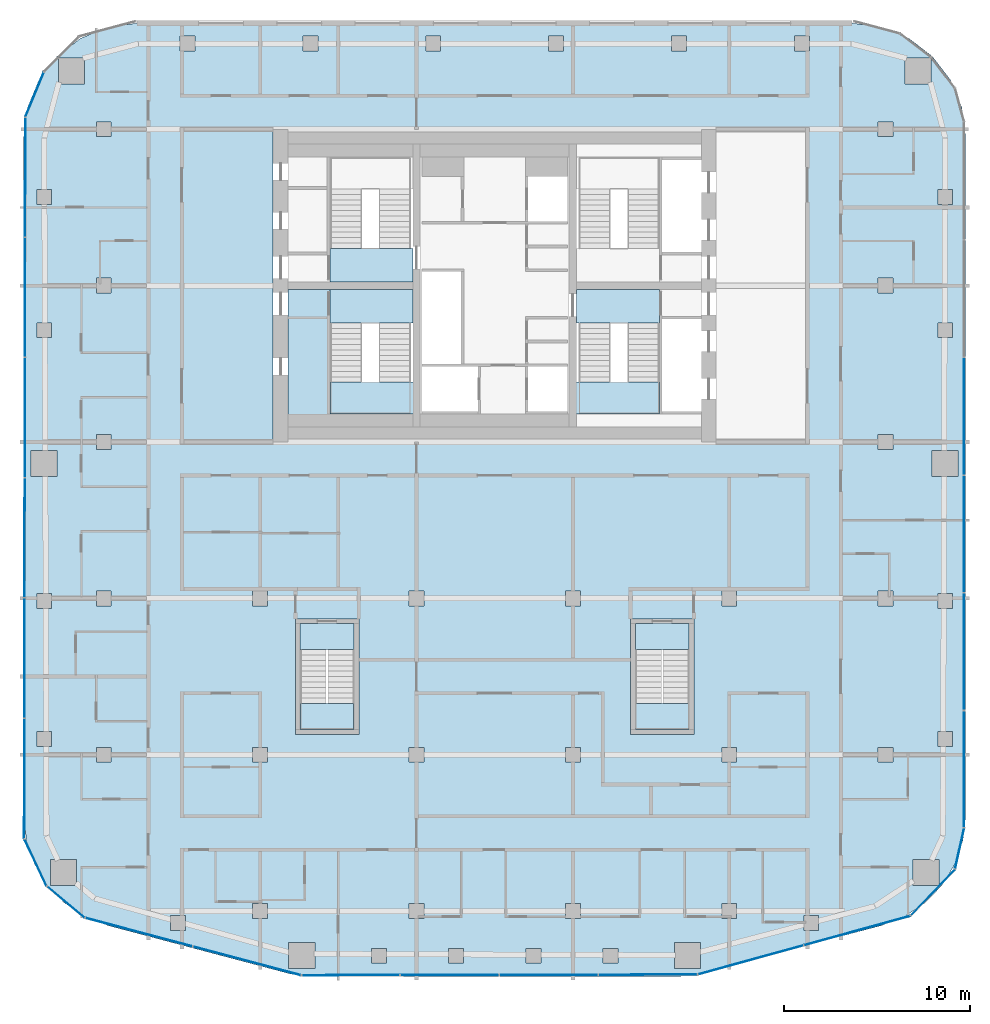
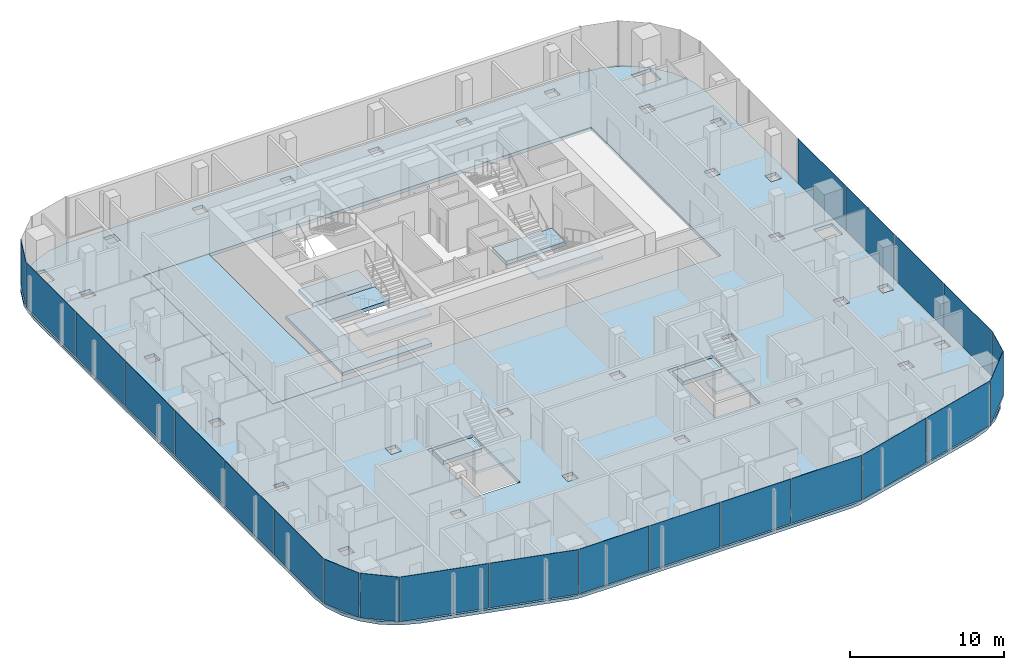
# One storey, part 12 of 21: 23 plates, 12 slabs, 14 elements without a shape of their own.
"""IFC4 building model written with IfcOpenShell, lengths in metres."""

from ifc_helpers import new_model, si_unit, direction, frame, origin, origin_2d, place, context, subcontext, project, spatial, polyline, rectangle, outline, extrude, material, layer, layer_set, type_object, element, aggregate, save


model = new_model("IFC4")

# Units and contexts
model_context = context("Model", 3, precision=1e-05, world=origin(), true_north=direction((0.0, 1.0)))
body_context = subcontext(model_context, "Body", "Model", "MODEL_VIEW")
ifc_project = project(units=[si_unit("LENGTHUNIT", "METRE"), si_unit("AREAUNIT", "SQUARE_METRE"), si_unit("VOLUMEUNIT", "CUBIC_METRE"), si_unit("PLANEANGLEUNIT", "RADIAN"), si_unit("MASSUNIT", "GRAM", prefix="KILO")], contexts=[model_context])

# Site, building, storey
site_placement = place(None, origin())
site = spatial("IfcSite", under=ifc_project, at=site_placement, CompositionType="ELEMENT")
building_placement = place(site_placement, origin())
building = spatial("IfcBuilding", under=site, at=building_placement, Name="Marenta Gate Hotel Tower", CompositionType="ELEMENT")
storey_placement = place(building_placement, frame((0.0, 0.0, 202.10009765625)))
storey = spatial("IfcBuildingStorey", under=building, at=storey_placement, Name="L46", CompositionType="ELEMENT", Elevation=202.10009765625)

# Slabs
ifc_material_1 = material(Name="Concrete C35", Category="concrete")
ifc_layer_1 = layer(ifc_material_1, 0.260009765625)
ifc_layer_set_1 = layer_set([ifc_layer_1], Name="Concrete C35")
slab_type_1 = type_object("IfcSlabType", Name="Concrete floor slab 260", PredefinedType="FLOOR", material=ifc_layer_set_1)
slab_1_placement = place(storey_placement, frame((0.0, 0.0, -0.260009765625)))
element("IfcSlab", 1, at=slab_1_placement, inside=storey, type_object=slab_type_1, Name="L46-SL-1", PredefinedType="FLOOR", context=body_context, shape_type="SweptSolid", body=[
    extrude(outline(polyline([(-23.11376953125, -24.76416015625), (-24.035400390625, -23.803955078125), (-24.72705078125, -22.6669921875), (-25.155517578125, -21.4072265625), (-25.300048828125, -20.08984375), (-25.300048828125, 16.406494140625), (-25.093017578125, 17.97900390625), (-24.483642578125, 19.450439453125), (-23.513916015625, 20.7138671875), (-22.25048828125, 21.68359375), (-20.779052734375, 22.29296875), (-19.20654296875, 22.5), (19.20654296875, 22.5), (20.779052734375, 22.29296875), (22.25048828125, 21.68359375), (23.513916015625, 20.7138671875), (24.483642578125, 19.450439453125), (25.093017578125, 17.97900390625), (25.300048828125, 16.406494140625), (25.300048828125, -20.08984375), (25.155517578125, -21.4072265625), (24.72705078125, -22.6669921875), (24.035400390625, -23.803955078125), (23.11376953125, -24.76416015625), (22.005859375, -25.501220703125), (20.76953125, -25.978759765625), (11.026611328125, -28.563720703125), (10.508544921875, -28.665771484375), (9.981689453125, -28.699951171875), (-9.981689453125, -28.699951171875), (-10.508544921875, -28.665771484375), (-11.026611328125, -28.563720703125), (-20.76953125, -25.978759765625), (-22.005859375, -25.501220703125), (-23.11376953125, -24.76416015625)]), holes=[polyline([(-16.800048828125, 0.0), (16.800048828125, 0.0), (16.800048828125, 16.800048828125), (-16.800048828125, 16.800048828125), (-16.800048828125, 0.0)]), polyline([(-16.606689453125, -25.439208984375), (-17.40673828125, -25.439208984375), (-17.40673828125, -26.239013671875), (-16.606689453125, -26.239013671875), (-16.606689453125, -25.439208984375)]), polyline([(-12.199951171875, -25.60009765625), (-12.199951171875, -24.800048828125), (-13.0, -24.800048828125), (-13.0, -25.60009765625), (-12.199951171875, -25.60009765625)]), polyline([(-22.462890625, -23.8330078125), (-22.462890625, -22.43310546875), (-23.863037109375, -22.43310546875), (-23.863037109375, -23.8330078125), (-22.462890625, -23.8330078125)]), polyline([(-12.199951171875, -16.39990234375), (-13.0, -16.39990234375), (-13.0, -17.199951171875), (-12.199951171875, -17.199951171875), (-12.199951171875, -16.39990234375)]), polyline([(-20.60009765625, -17.199951171875), (-20.60009765625, -16.39990234375), (-21.39990234375, -16.39990234375), (-21.39990234375, -17.199951171875), (-20.60009765625, -17.199951171875)]), polyline([(-23.800048828125, -16.351806640625), (-23.800048828125, -15.552001953125), (-24.60009765625, -15.552001953125), (-24.60009765625, -16.351806640625), (-23.800048828125, -16.351806640625)]), polyline([(-23.800048828125, -8.15087890625), (-24.60009765625, -8.15087890625), (-24.60009765625, -8.950927734375), (-23.800048828125, -8.950927734375), (-23.800048828125, -8.15087890625)]), polyline([(-12.199951171875, -8.800048828125), (-12.199951171875, -8.0), (-13.0, -8.0), (-13.0, -8.800048828125), (-12.199951171875, -8.800048828125)]), polyline([(-20.60009765625, -8.800048828125), (-20.60009765625, -8.0), (-21.39990234375, -8.0), (-21.39990234375, -8.800048828125), (-20.60009765625, -8.800048828125)]), polyline([(-23.5, -0.449951171875), (-24.89990234375, -0.449951171875), (-24.89990234375, -1.85009765625), (-23.5, -1.85009765625), (-23.5, -0.449951171875)]), polyline([(-20.60009765625, -0.39990234375), (-20.60009765625, 0.39990234375), (-21.39990234375, 0.39990234375), (-21.39990234375, -0.39990234375), (-20.60009765625, -0.39990234375)]), polyline([(-23.800048828125, 5.603271484375), (-23.800048828125, 6.4033203125), (-24.60009765625, 6.4033203125), (-24.60009765625, 5.603271484375), (-23.800048828125, 5.603271484375)]), polyline([(-20.60009765625, 8.800048828125), (-21.39990234375, 8.800048828125), (-21.39990234375, 8.0), (-20.60009765625, 8.0), (-20.60009765625, 8.800048828125)]), polyline([(-23.800048828125, 12.75634765625), (-23.800048828125, 13.556396484375), (-24.60009765625, 13.556396484375), (-24.60009765625, 12.75634765625), (-23.800048828125, 12.75634765625)]), polyline([(-20.60009765625, 16.39990234375), (-20.60009765625, 17.199951171875), (-21.39990234375, 17.199951171875), (-21.39990234375, 16.39990234375), (-20.60009765625, 16.39990234375)]), polyline([(-22.035400390625, 20.635498046875), (-23.435546875, 20.635498046875), (-23.435546875, 19.235595703125), (-22.035400390625, 19.235595703125), (-22.035400390625, 20.635498046875)]), polyline([(-16.10693359375, 21.0), (-16.10693359375, 21.800048828125), (-16.906982421875, 21.800048828125), (-16.906982421875, 21.0), (-16.10693359375, 21.0)]), polyline([(-5.820068359375, -28.0), (-5.820068359375, -27.199951171875), (-6.6201171875, -27.199951171875), (-6.6201171875, -28.0), (-5.820068359375, -28.0)]), polyline([(6.6201171875, -27.199951171875), (5.820068359375, -27.199951171875), (5.820068359375, -28.0), (6.6201171875, -28.0), (6.6201171875, -27.199951171875)]), polyline([(2.473388671875, -28.0), (2.473388671875, -27.199951171875), (1.67333984375, -27.199951171875), (1.67333984375, -28.0), (2.473388671875, -28.0)]), polyline([(-1.67333984375, -28.0), (-1.67333984375, -27.199951171875), (-2.473388671875, -27.199951171875), (-2.473388671875, -28.0), (-1.67333984375, -28.0)]), polyline([(-9.666259765625, -28.27490234375), (-9.666259765625, -26.874755859375), (-11.06640625, -26.874755859375), (-11.06640625, -28.27490234375), (-9.666259765625, -28.27490234375)]), polyline([(11.06640625, -28.27490234375), (11.06640625, -26.874755859375), (9.666259765625, -26.874755859375), (9.666259765625, -28.27490234375), (11.06640625, -28.27490234375)]), polyline([(13.0, -25.60009765625), (13.0, -24.800048828125), (12.199951171875, -24.800048828125), (12.199951171875, -25.60009765625), (13.0, -25.60009765625)]), polyline([(4.60009765625, -25.60009765625), (4.60009765625, -24.800048828125), (3.800048828125, -24.800048828125), (3.800048828125, -25.60009765625), (4.60009765625, -25.60009765625)]), polyline([(-3.800048828125, -24.800048828125), (-4.60009765625, -24.800048828125), (-4.60009765625, -25.60009765625), (-3.800048828125, -25.60009765625), (-3.800048828125, -24.800048828125)]), polyline([(4.60009765625, -17.199951171875), (4.60009765625, -16.39990234375), (3.800048828125, -16.39990234375), (3.800048828125, -17.199951171875), (4.60009765625, -17.199951171875)]), polyline([(-3.800048828125, -17.199951171875), (-3.800048828125, -16.39990234375), (-4.60009765625, -16.39990234375), (-4.60009765625, -17.199951171875), (-3.800048828125, -17.199951171875)]), polyline([(4.60009765625, -8.0), (3.800048828125, -8.0), (3.800048828125, -8.800048828125), (4.60009765625, -8.800048828125), (4.60009765625, -8.0)]), polyline([(-3.800048828125, -8.800048828125), (-3.800048828125, -8.0), (-4.60009765625, -8.0), (-4.60009765625, -8.800048828125), (-3.800048828125, -8.800048828125)]), polyline([(-2.9013671875, 21.0), (-2.9013671875, 21.800048828125), (-3.701416015625, 21.800048828125), (-3.701416015625, 21.0), (-2.9013671875, 21.0)]), polyline([(3.701416015625, 21.800048828125), (2.9013671875, 21.800048828125), (2.9013671875, 21.0), (3.701416015625, 21.0), (3.701416015625, 21.800048828125)]), polyline([(10.30419921875, 21.0), (10.30419921875, 21.800048828125), (9.504150390625, 21.800048828125), (9.504150390625, 21.0), (10.30419921875, 21.0)]), polyline([(-9.504150390625, 21.0), (-9.504150390625, 21.800048828125), (-10.30419921875, 21.800048828125), (-10.30419921875, 21.0), (-9.504150390625, 21.0)]), polyline([(17.40673828125, -25.439208984375), (16.606689453125, -25.439208984375), (16.606689453125, -26.239013671875), (17.40673828125, -26.239013671875), (17.40673828125, -25.439208984375)]), polyline([(23.863037109375, -23.8330078125), (23.863037109375, -22.43310546875), (22.462890625, -22.43310546875), (22.462890625, -23.8330078125), (23.863037109375, -23.8330078125)]), polyline([(13.0, -17.199951171875), (13.0, -16.39990234375), (12.199951171875, -16.39990234375), (12.199951171875, -17.199951171875), (13.0, -17.199951171875)]), polyline([(21.39990234375, -16.39990234375), (20.60009765625, -16.39990234375), (20.60009765625, -17.199951171875), (21.39990234375, -17.199951171875), (21.39990234375, -16.39990234375)]), polyline([(24.60009765625, -16.351806640625), (24.60009765625, -15.552001953125), (23.800048828125, -15.552001953125), (23.800048828125, -16.351806640625), (24.60009765625, -16.351806640625)]), polyline([(24.60009765625, -8.950927734375), (24.60009765625, -8.15087890625), (23.800048828125, -8.15087890625), (23.800048828125, -8.950927734375), (24.60009765625, -8.950927734375)]), polyline([(13.0, -8.0), (12.199951171875, -8.0), (12.199951171875, -8.800048828125), (13.0, -8.800048828125), (13.0, -8.0)]), polyline([(21.39990234375, -8.800048828125), (21.39990234375, -8.0), (20.60009765625, -8.0), (20.60009765625, -8.800048828125), (21.39990234375, -8.800048828125)]), polyline([(24.89990234375, -1.85009765625), (24.89990234375, -0.449951171875), (23.5, -0.449951171875), (23.5, -1.85009765625), (24.89990234375, -1.85009765625)]), polyline([(21.39990234375, 0.39990234375), (20.60009765625, 0.39990234375), (20.60009765625, -0.39990234375), (21.39990234375, -0.39990234375), (21.39990234375, 0.39990234375)]), polyline([(24.60009765625, 5.603271484375), (24.60009765625, 6.4033203125), (23.800048828125, 6.4033203125), (23.800048828125, 5.603271484375), (24.60009765625, 5.603271484375)]), polyline([(21.39990234375, 8.0), (21.39990234375, 8.800048828125), (20.60009765625, 8.800048828125), (20.60009765625, 8.0), (21.39990234375, 8.0)]), polyline([(24.60009765625, 12.75634765625), (24.60009765625, 13.556396484375), (23.800048828125, 13.556396484375), (23.800048828125, 12.75634765625), (24.60009765625, 12.75634765625)]), polyline([(21.39990234375, 16.39990234375), (21.39990234375, 17.199951171875), (20.60009765625, 17.199951171875), (20.60009765625, 16.39990234375), (21.39990234375, 16.39990234375)]), polyline([(23.435546875, 19.235595703125), (23.435546875, 20.635498046875), (22.035400390625, 20.635498046875), (22.035400390625, 19.235595703125), (23.435546875, 19.235595703125)]), polyline([(16.906982421875, 21.0), (16.906982421875, 21.800048828125), (16.10693359375, 21.800048828125), (16.10693359375, 21.0), (16.906982421875, 21.0)]), polyline([(-7.300048828125, -15.699951171875), (-7.300048828125, -9.5), (-10.699951171875, -9.5), (-10.699951171875, -15.699951171875), (-7.300048828125, -15.699951171875)]), polyline([(10.699951171875, -15.699951171875), (10.699951171875, -9.5), (7.300048828125, -9.5), (7.300048828125, -15.699951171875), (10.699951171875, -15.699951171875)])]), origin(), (0.0, 0.0, 1.0), 0.260009765625),
])
ifc_material_2 = material(Name="Concrete C40", Category="concrete")
ifc_layer_2 = layer(ifc_material_2, 0.260009765625)
ifc_layer_set_2 = layer_set([ifc_layer_2], Name="Concrete C40")
slab_type_2 = type_object("IfcSlabType", Name="Core floor slab 260", PredefinedType="FLOOR", material=ifc_layer_set_2)
slab_2_placement = place(storey_placement, frame((0.0, 0.0, -0.260009765625)))
element("IfcSlab", 2, at=slab_2_placement, inside=storey, type_object=slab_type_2, Name="L46-CF-5", PredefinedType="FLOOR", context=body_context, shape_type="SweptSolid", body=[
    extrude(outline(polyline([(-8.85009765625, 8.199951171875), (-8.85009765625, 8.10009765625), (-8.85009765625, 6.39990234375), (-8.85009765625, 1.5), (-4.39990234375, 1.5), (-4.39990234375, 0.800048828125), (-11.10009765625, 0.800048828125), (-11.10009765625, 8.199951171875), (-8.85009765625, 8.199951171875)])), origin(), (0.0, 0.0, 1.0), 0.260009765625),
])
slab_3_placement = place(storey_placement, frame((0.0, 0.0, -0.260009765625)))
element("IfcSlab", 3, at=slab_3_placement, inside=storey, type_object=slab_type_2, Name="L46-CF-7", PredefinedType="FLOOR", context=body_context, shape_type="SweptSolid", body=[
    extrude(outline(polyline([(-11.89990234375, 16.800048828125), (-11.89990234375, 0.0), (-16.800048828125, 0.0), (-16.800048828125, 16.800048828125), (-11.89990234375, 16.800048828125)])), origin(), (0.0, 0.0, 1.0), 0.260009765625),
])

# Stair, slab
ifc_material_3 = material(Name="Concrete C40", Category="concrete")
stair_type_1 = type_object("IfcStairType", Name="Core exit stair 1700 wide", PredefinedType="HALF_TURN_STAIR", material=ifc_material_3)
stair_1_placement = place(storey_placement, origin())
stair_1 = element("IfcStair", 4, at=stair_1_placement, inside=storey, type_object=stair_type_1, Name="Exit stair 1", PredefinedType="HALF_TURN_STAIR")
ifc_material_4 = material(Name="Concrete C40", Category="concrete")
ifc_layer_3 = layer(ifc_material_4, 0.199951171875)
ifc_layer_set_3 = layer_set([ifc_layer_3], Name="Concrete C40")
slab_type_3 = type_object("IfcSlabType", Name="Core stair landing 200", PredefinedType="LANDING", material=ifc_layer_set_3)
slab_4_placement = place(storey_placement, frame((0.0, 0.0, 1.599853515625)))
slab_4 = element("IfcSlab", 5, at=slab_4_placement, type_object=slab_type_3, Name="SL-200 ST1 landing 1", PredefinedType="LANDING", context=body_context, shape_type="SweptSolid", body=[
    extrude(outline(polyline([(-8.85009765625, 1.5), (-4.0, 1.5), (-4.0, 3.2099609375), (-8.85009765625, 3.2099609375), (-8.85009765625, 1.5)])), origin(), (0.0, 0.0, 1.0), 0.199951171875),
])
aggregate(stair_1, [slab_4])

stair_2_placement = place(storey_placement, origin())
stair_2 = element("IfcStair", 6, at=stair_2_placement, inside=storey, type_object=stair_type_1, Name="Exit stair 3", PredefinedType="HALF_TURN_STAIR")
slab_5_placement = place(storey_placement, frame((0.0, 0.0, 1.599853515625)))
slab_5 = element("IfcSlab", 7, at=slab_5_placement, type_object=slab_type_3, Name="SL-200 ST3 landing 1", PredefinedType="LANDING", context=body_context, shape_type="SweptSolid", body=[
    extrude(outline(polyline([(4.0, 1.5), (8.85009765625, 1.5), (8.85009765625, 3.2099609375), (4.0, 3.2099609375), (4.0, 1.5)])), origin(), (0.0, 0.0, 1.0), 0.199951171875),
])
aggregate(stair_2, [slab_5])

# Curtain wall, plate
ifc_material_5 = material(Name="Tinted insulated glass in bronze anodised frame", Category="glass")
ifc_layer_4 = layer(ifc_material_5, 0.1201171875)
ifc_layer_set_4 = layer_set([ifc_layer_4], Name="Tinted insulated glass in bronze anodised frame")
curtain_wall_type = type_object("IfcCurtainWallType", Name="Tower unitised curtain wall CW1", PredefinedType="NOTDEFINED", material=ifc_layer_set_4)
curtain_wall_1_placement = place(storey_placement, origin())
curtain_wall_1 = element("IfcCurtainWall", 8, at=curtain_wall_1_placement, inside=storey, type_object=curtain_wall_type, Name="CW1 run G02", PredefinedType="NOTDEFINED")
ifc_material_6 = material(Name="Tinted insulated glass", Category="glass")
ifc_layer_5 = layer(ifc_material_6, 0.028076171875)
ifc_layer_set_5 = layer_set([ifc_layer_5], Name="Tinted insulated glass")
plate_type = type_object("IfcPlateType", Name="Glass panel CW1 28 mm tinted insulated unit", PredefinedType="CURTAIN_PANEL", material=ifc_layer_set_5)
plate_1_placement = place(storey_placement, frame((-24.719482421875, 18.656005859375, 0.059814453125), z_axis=(0.0, 0.0, 1.0), x_axis=(-0.382666772044, -0.923886433266, 0.0)))
plate_1 = element("IfcPlate", 9, at=plate_1_placement, type_object=plate_type, Name="CW1 panel 1.1", PredefinedType="CURTAIN_PANEL", context=body_context, shape_type="SweptSolid", body=[
    extrude(rectangle(XDim=2.57568359375, YDim=0.028076171875, at=origin_2d()), origin(), (0.0, 0.0, 1.0), 3.5400390625),
])
aggregate(curtain_wall_1, [plate_1])

# Curtain wall, plates
curtain_wall_2_placement = place(storey_placement, origin())
curtain_wall_2 = element("IfcCurtainWall", 10, at=curtain_wall_2_placement, inside=storey, type_object=curtain_wall_type, Name="CW1 run G03", PredefinedType="NOTDEFINED")
plate_2_placement = place(storey_placement, frame((-25.21728515625, 14.22119140625, 0.059814453125), z_axis=(0.0, 0.0, 1.0), x_axis=(-0.001566045546, -0.99999877375, 0.0)))
plate_2 = element("IfcPlate", 11, at=plate_2_placement, type_object=plate_type, Name="CW1 panel 1.1", PredefinedType="CURTAIN_PANEL", context=body_context, shape_type="SweptSolid", body=[
    extrude(rectangle(XDim=6.3701171875, YDim=0.028076171875, at=origin_2d()), origin(), (0.0, 0.0, 1.0), 3.5400390625),
])
plate_3_placement = place(storey_placement, frame((-25.2275390625, 7.776123046875, 0.059814453125), z_axis=(0.0, 0.0, 1.0), x_axis=(-0.001566045546, -0.99999877375, 0.0)))
plate_3 = element("IfcPlate", 12, at=plate_3_placement, type_object=plate_type, Name="CW1 panel 2.1", PredefinedType="CURTAIN_PANEL", context=body_context, shape_type="SweptSolid", body=[
    extrude(rectangle(XDim=6.39990234375, YDim=0.028076171875, at=origin_2d()), origin(), (0.0, 0.0, 1.0), 3.5400390625),
])
plate_4_placement = place(storey_placement, frame((-25.237548828125, 1.316162109375, 0.059814453125), z_axis=(0.0, 0.0, 1.0), x_axis=(-0.001566045546, -0.99999877375, 0.0)))
plate_4 = element("IfcPlate", 13, at=plate_4_placement, type_object=plate_type, Name="CW1 panel 3.1", PredefinedType="CURTAIN_PANEL", context=body_context, shape_type="SweptSolid", body=[
    extrude(rectangle(XDim=6.39990234375, YDim=0.028076171875, at=origin_2d()), origin(), (0.0, 0.0, 1.0), 3.5400390625),
])
plate_5_placement = place(storey_placement, frame((-25.247802734375, -5.143798828125, 0.059814453125), z_axis=(0.0, 0.0, 1.0), x_axis=(-0.001566045546, -0.99999877375, 0.0)))
plate_5 = element("IfcPlate", 14, at=plate_5_placement, type_object=plate_type, Name="CW1 panel 4.1", PredefinedType="CURTAIN_PANEL", context=body_context, shape_type="SweptSolid", body=[
    extrude(rectangle(XDim=6.39990234375, YDim=0.028076171875, at=origin_2d()), origin(), (0.0, 0.0, 1.0), 3.5400390625),
])
plate_6_placement = place(storey_placement, frame((-25.2578125, -11.603759765625, 0.059814453125), z_axis=(0.0, 0.0, 1.0), x_axis=(-0.001566045546, -0.99999877375, 0.0)))
plate_6 = element("IfcPlate", 15, at=plate_6_placement, type_object=plate_type, Name="CW1 panel 5.1", PredefinedType="CURTAIN_PANEL", context=body_context, shape_type="SweptSolid", body=[
    extrude(rectangle(XDim=6.39990234375, YDim=0.028076171875, at=origin_2d()), origin(), (0.0, 0.0, 1.0), 3.5400390625),
])
plate_7_placement = place(storey_placement, frame((-25.26806640625, -18.078857421875, 0.059814453125), z_axis=(0.0, 0.0, 1.0), x_axis=(-0.001566045546, -0.99999877375, 0.0)))
plate_7 = element("IfcPlate", 16, at=plate_7_placement, type_object=plate_type, Name="CW1 panel 6.1", PredefinedType="CURTAIN_PANEL", context=body_context, shape_type="SweptSolid", body=[
    extrude(rectangle(XDim=6.429931640625, YDim=0.028076171875, at=origin_2d()), origin(), (0.0, 0.0, 1.0), 3.5400390625),
])
aggregate(curtain_wall_2, [plate_2, plate_3, plate_4, plate_5, plate_6, plate_7])

# Curtain wall, plate
curtain_wall_3_placement = place(storey_placement, origin())
curtain_wall_3 = element("IfcCurtainWall", 17, at=curtain_wall_3_placement, inside=storey, type_object=curtain_wall_type, Name="CW1 run G04", PredefinedType="NOTDEFINED")
plate_8_placement = place(storey_placement, frame((-24.665283203125, -22.594482421875, 0.059814453125), z_axis=(0.0, 0.0, 1.0), x_axis=(0.42333719762, -0.905972194447, 0.0)))
plate_8 = element("IfcPlate", 18, at=plate_8_placement, type_object=plate_type, Name="CW1 panel 1.1", PredefinedType="CURTAIN_PANEL", context=body_context, shape_type="SweptSolid", body=[
    extrude(rectangle(XDim=2.751220703125, YDim=0.028076171875, at=origin_2d()), origin(), (0.0, 0.0, 1.0), 3.5400390625),
])
aggregate(curtain_wall_3, [plate_8])

curtain_wall_4_placement = place(storey_placement, origin())
curtain_wall_4 = element("IfcCurtainWall", 19, at=curtain_wall_4_placement, inside=storey, type_object=curtain_wall_type, Name="CW1 run G05", PredefinedType="NOTDEFINED")
plate_9_placement = place(storey_placement, frame((-23.0361328125, -24.716064453125, 0.059814453125), z_axis=(0.0, 0.0, 1.0), x_axis=(0.767102345594, -0.641524739495, 0.0)))
plate_9 = element("IfcPlate", 20, at=plate_9_placement, type_object=plate_type, Name="CW1 panel 1.1", PredefinedType="CURTAIN_PANEL", context=body_context, shape_type="SweptSolid", body=[
    extrude(rectangle(XDim=2.609375, YDim=0.028076171875, at=origin_2d()), origin(), (0.0, 0.0, 1.0), 3.5400390625),
])
aggregate(curtain_wall_4, [plate_9])

# Curtain wall, plates
curtain_wall_5_placement = place(storey_placement, origin())
curtain_wall_5 = element("IfcCurtainWall", 21, at=curtain_wall_5_placement, inside=storey, type_object=curtain_wall_type, Name="CW1 run G06", PredefinedType="NOTDEFINED")
plate_10_placement = place(storey_placement, frame((-19.113525390625, -26.33056640625, 0.059814453125), z_axis=(0.0, 0.0, 1.0), x_axis=(0.966374375295, -0.257139197271, 0.0)))
plate_10 = element("IfcPlate", 22, at=plate_10_placement, type_object=plate_type, Name="CW1 panel 1.1", PredefinedType="CURTAIN_PANEL", context=body_context, shape_type="SweptSolid", body=[
    extrude(rectangle(XDim=5.927001953125, YDim=0.028076171875, at=origin_2d()), origin(), (0.0, 0.0, 1.0), 3.5400390625),
])
plate_11_placement = place(storey_placement, frame((-13.298828125, -27.877685546875, 0.059814453125), z_axis=(0.0, 0.0, 1.0), x_axis=(0.966374375295, -0.257139197271, 0.0)))
plate_11 = element("IfcPlate", 23, at=plate_11_placement, type_object=plate_type, Name="CW1 panel 2.1", PredefinedType="CURTAIN_PANEL", context=body_context, shape_type="SweptSolid", body=[
    extrude(rectangle(XDim=5.987060546875, YDim=0.028076171875, at=origin_2d()), origin(), (0.0, 0.0, 1.0), 3.5400390625),
])
aggregate(curtain_wall_5, [plate_10, plate_11])

curtain_wall_6_placement = place(storey_placement, origin())
curtain_wall_6 = element("IfcCurtainWall", 24, at=curtain_wall_6_placement, inside=storey, type_object=curtain_wall_type, Name="CW1 run G07", PredefinedType="NOTDEFINED")
plate_12_placement = place(storey_placement, frame((-7.73095703125, -28.64306640625, 0.059814453125), z_axis=(0.0, 0.0, 1.0), x_axis=(0.999998647385, 0.001644757804, 0.0)))
plate_12 = element("IfcPlate", 25, at=plate_12_placement, type_object=plate_type, Name="CW1 panel 1.1", PredefinedType="CURTAIN_PANEL", context=body_context, shape_type="SweptSolid", body=[
    extrude(rectangle(XDim=5.22998046875, YDim=0.028076171875, at=origin_2d()), origin(), (0.0, 0.0, 1.0), 3.5400390625),
])
plate_13_placement = place(storey_placement, frame((-2.426025390625, -28.63427734375, 0.059814453125), z_axis=(0.0, 0.0, 1.0), x_axis=(0.999998647385, 0.001644757804, 0.0)))
plate_13 = element("IfcPlate", 26, at=plate_13_placement, type_object=plate_type, Name="CW1 panel 2.1", PredefinedType="CURTAIN_PANEL", context=body_context, shape_type="SweptSolid", body=[
    extrude(rectangle(XDim=5.260009765625, YDim=0.028076171875, at=origin_2d()), origin(), (0.0, 0.0, 1.0), 3.5400390625),
])
plate_14_placement = place(storey_placement, frame((2.893798828125, -28.625732421875, 0.059814453125), z_axis=(0.0, 0.0, 1.0), x_axis=(0.999998647385, 0.001644757804, 0.0)))
plate_14 = element("IfcPlate", 27, at=plate_14_placement, type_object=plate_type, Name="CW1 panel 3.1", PredefinedType="CURTAIN_PANEL", context=body_context, shape_type="SweptSolid", body=[
    extrude(rectangle(XDim=5.260009765625, YDim=0.028076171875, at=origin_2d()), origin(), (0.0, 0.0, 1.0), 3.5400390625),
])
plate_15_placement = place(storey_placement, frame((8.228759765625, -28.616943359375, 0.059814453125), z_axis=(0.0, 0.0, 1.0), x_axis=(0.999998647385, 0.001644757804, 0.0)))
plate_15 = element("IfcPlate", 28, at=plate_15_placement, type_object=plate_type, Name="CW1 panel 4.1", PredefinedType="CURTAIN_PANEL", context=body_context, shape_type="SweptSolid", body=[
    extrude(rectangle(XDim=5.289794921875, YDim=0.028076171875, at=origin_2d()), origin(), (0.0, 0.0, 1.0), 3.5400390625),
])
aggregate(curtain_wall_6, [plate_12, plate_13, plate_14, plate_15])

curtain_wall_7_placement = place(storey_placement, origin())
curtain_wall_7 = element("IfcCurtainWall", 29, at=curtain_wall_7_placement, inside=storey, type_object=curtain_wall_type, Name="CW1 run G08", PredefinedType="NOTDEFINED")
plate_16_placement = place(storey_placement, frame((13.7509765625, -27.82080078125, 0.059814453125), z_axis=(0.0, 0.0, 1.0), x_axis=(0.964167765212, 0.265293272675, 0.0)))
plate_16 = element("IfcPlate", 30, at=plate_16_placement, type_object=plate_type, Name="CW1 panel 1.1", PredefinedType="CURTAIN_PANEL", context=body_context, shape_type="SweptSolid", body=[
    extrude(rectangle(XDim=5.848388671875, YDim=0.028076171875, at=origin_2d()), origin(), (0.0, 0.0, 1.0), 3.5400390625),
])
plate_17_placement = place(storey_placement, frame((19.4765625, -26.245361328125, 0.059814453125), z_axis=(0.0, 0.0, 1.0), x_axis=(0.964167765212, 0.265293272675, 0.0)))
plate_17 = element("IfcPlate", 31, at=plate_17_placement, type_object=plate_type, Name="CW1 panel 2.1", PredefinedType="CURTAIN_PANEL", context=body_context, shape_type="SweptSolid", body=[
    extrude(rectangle(XDim=5.908203125, YDim=0.028076171875, at=origin_2d()), origin(), (0.0, 0.0, 1.0), 3.5400390625),
])
aggregate(curtain_wall_7, [plate_16, plate_17])

# Curtain wall, plate
curtain_wall_8_placement = place(storey_placement, origin())
curtain_wall_8 = element("IfcCurtainWall", 32, at=curtain_wall_8_placement, inside=storey, type_object=curtain_wall_type, Name="CW1 run G09", PredefinedType="NOTDEFINED")
plate_18_placement = place(storey_placement, frame((23.543212890625, -24.1923828125, 0.059814453125), z_axis=(0.0, 0.0, 1.0), x_axis=(0.692548076564, 0.72137172224, 0.0)))
plate_18 = element("IfcPlate", 33, at=plate_18_placement, type_object=plate_type, Name="CW1 panel 1.1", PredefinedType="CURTAIN_PANEL", context=body_context, shape_type="SweptSolid", body=[
    extrude(rectangle(XDim=3.39892578125, YDim=0.028076171875, at=origin_2d()), origin(), (0.0, 0.0, 1.0), 3.5400390625),
])
aggregate(curtain_wall_8, [plate_18])

curtain_wall_9_placement = place(storey_placement, origin())
curtain_wall_9 = element("IfcCurtainWall", 34, at=curtain_wall_9_placement, inside=storey, type_object=curtain_wall_type, Name="CW1 run G10", PredefinedType="NOTDEFINED")
plate_19_placement = place(storey_placement, frame((24.9736328125, -21.825927734375, 0.059814453125), z_axis=(0.0, 0.0, 1.0), x_axis=(0.216842096529, 0.97620669183, 0.0)))
plate_19 = element("IfcPlate", 35, at=plate_19_placement, type_object=plate_type, Name="CW1 panel 1.1", PredefinedType="CURTAIN_PANEL", context=body_context, shape_type="SweptSolid", body=[
    extrude(rectangle(XDim=2.216796875, YDim=0.028076171875, at=origin_2d()), origin(), (0.0, 0.0, 1.0), 3.5400390625),
])
aggregate(curtain_wall_9, [plate_19])

# Curtain wall, plates
curtain_wall_10_placement = place(storey_placement, origin())
curtain_wall_10 = element("IfcCurtainWall", 36, at=curtain_wall_10_placement, inside=storey, type_object=curtain_wall_type, Name="CW1 run G11", PredefinedType="NOTDEFINED")
plate_20_placement = place(storey_placement, frame((25.214111328125, -17.567626953125, 0.059814453125), z_axis=(0.0, 0.0, 1.0), x_axis=(0.0, 1.0, 0.0)))
plate_20 = element("IfcPlate", 37, at=plate_20_placement, type_object=plate_type, Name="CW1 panel 1.1", PredefinedType="CURTAIN_PANEL", context=body_context, shape_type="SweptSolid", body=[
    extrude(rectangle(XDim=6.232666015625, YDim=0.028076171875, at=origin_2d()), origin(), (0.0, 0.0, 1.0), 3.5400390625),
])
plate_21_placement = place(storey_placement, frame((25.214111328125, -11.260009765625, 0.059814453125), z_axis=(0.0, 0.0, 1.0), x_axis=(0.0, 1.0, 0.0)))
plate_21 = element("IfcPlate", 38, at=plate_21_placement, type_object=plate_type, Name="CW1 panel 2.1", PredefinedType="CURTAIN_PANEL", context=body_context, shape_type="SweptSolid", body=[
    extrude(rectangle(XDim=6.2626953125, YDim=0.028076171875, at=origin_2d()), origin(), (0.0, 0.0, 1.0), 3.5400390625),
])
plate_22_placement = place(storey_placement, frame((25.214111328125, -4.937255859375, 0.059814453125), z_axis=(0.0, 0.0, 1.0), x_axis=(0.0, 1.0, 0.0)))
plate_22 = element("IfcPlate", 39, at=plate_22_placement, type_object=plate_type, Name="CW1 panel 3.1", PredefinedType="CURTAIN_PANEL", context=body_context, shape_type="SweptSolid", body=[
    extrude(rectangle(XDim=6.2626953125, YDim=0.028076171875, at=origin_2d()), origin(), (0.0, 0.0, 1.0), 3.5400390625),
])
plate_23_placement = place(storey_placement, frame((25.214111328125, 1.38525390625, 0.059814453125), z_axis=(0.0, 0.0, 1.0), x_axis=(0.0, 1.0, 0.0)))
plate_23 = element("IfcPlate", 40, at=plate_23_placement, type_object=plate_type, Name="CW1 panel 4.1", PredefinedType="CURTAIN_PANEL", context=body_context, shape_type="SweptSolid", body=[
    extrude(rectangle(XDim=6.2626953125, YDim=0.028076171875, at=origin_2d()), origin(), (0.0, 0.0, 1.0), 3.5400390625),
])
aggregate(curtain_wall_10, [plate_20, plate_21, plate_22, plate_23])

# Stair, slab
ifc_material_7 = material(Name="Concrete C40", Category="concrete")
stair_type_2 = type_object("IfcStairType", Name="Remote exit stair 1400 wide", PredefinedType="HALF_TURN_STAIR", material=ifc_material_7)
stair_3_placement = place(storey_placement, origin())
stair_3 = element("IfcStair", 41, at=stair_3_placement, inside=storey, type_object=stair_type_2, Name="Exit stair RS-Z3-1", PredefinedType="HALF_TURN_STAIR")
ifc_material_8 = material(Name="Concrete C40", Category="concrete")
ifc_layer_6 = layer(ifc_material_8, 0.199951171875)
ifc_layer_set_6 = layer_set([ifc_layer_6], Name="Concrete C40")
slab_type_4 = type_object("IfcSlabType", Name="Remote stair landing 200", PredefinedType="LANDING", material=ifc_layer_set_6)
slab_6_placement = place(storey_placement, frame((0.0, 0.0, 1.599853515625)))
slab_6 = element("IfcSlab", 42, at=slab_6_placement, type_object=slab_type_4, Name="RL-200 RS-Z3-1 landing 1", PredefinedType="LANDING", context=body_context, shape_type="SweptSolid", body=[
    extrude(outline(polyline([(-10.449951171875, -15.449951171875), (-7.550048828125, -15.449951171875), (-7.550048828125, -14.050048828125), (-10.449951171875, -14.050048828125), (-10.449951171875, -15.449951171875)])), origin(), (0.0, 0.0, 1.0), 0.199951171875),
])
aggregate(stair_3, [slab_6])

stair_4_placement = place(storey_placement, origin())
stair_4 = element("IfcStair", 43, at=stair_4_placement, inside=storey, type_object=stair_type_2, Name="Exit stair RS-Z3-2", PredefinedType="HALF_TURN_STAIR")
slab_7_placement = place(storey_placement, frame((0.0, 0.0, 1.599853515625)))
slab_7 = element("IfcSlab", 44, at=slab_7_placement, type_object=slab_type_4, Name="RL-200 RS-Z3-2 landing 1", PredefinedType="LANDING", context=body_context, shape_type="SweptSolid", body=[
    extrude(outline(polyline([(7.550048828125, -15.449951171875), (10.449951171875, -15.449951171875), (10.449951171875, -14.050048828125), (7.550048828125, -14.050048828125), (7.550048828125, -15.449951171875)])), origin(), (0.0, 0.0, 1.0), 0.199951171875),
])
aggregate(stair_4, [slab_7])

# Slabs
ifc_material_9 = material(Name="Concrete C40", Category="concrete")
ifc_layer_7 = layer(ifc_material_9, 0.300048828125)
ifc_layer_set_7 = layer_set([ifc_layer_7], Name="Concrete C40")
slab_type_5 = type_object("IfcSlabType", Name="Stair floor landing slab 300", PredefinedType="FLOOR", material=ifc_layer_set_7)
slab_8_placement = place(storey_placement, frame((0.0, 0.0, -0.300048828125)))
element("IfcSlab", 45, at=slab_8_placement, inside=storey, type_object=slab_type_5, Name="L46-CL-ST1-1", PredefinedType="FLOOR", context=body_context, shape_type="SweptSolid", body=[
    extrude(outline(polyline([(-4.39990234375, 6.39990234375), (-8.85009765625, 6.39990234375), (-8.85009765625, 8.10009765625), (-8.85009765625, 8.199951171875), (-4.39990234375, 8.199951171875), (-4.39990234375, 6.39990234375)])), origin(), (0.0, 0.0, 1.0), 0.300048828125),
])
slab_9_placement = place(storey_placement, frame((0.0, 0.0, -0.300048828125)))
element("IfcSlab", 46, at=slab_9_placement, inside=storey, type_object=slab_type_5, Name="L46-CL-ST2-1", PredefinedType="FLOOR", context=body_context, shape_type="SweptSolid", body=[
    extrude(outline(polyline([(-4.39990234375, 8.60009765625), (-8.85009765625, 8.60009765625), (-8.85009765625, 8.699951171875), (-8.85009765625, 10.39990234375), (-4.39990234375, 10.39990234375), (-4.39990234375, 8.60009765625)])), origin(), (0.0, 0.0, 1.0), 0.300048828125),
])
slab_10_placement = place(storey_placement, frame((0.0, 0.0, -0.300048828125)))
element("IfcSlab", 47, at=slab_10_placement, inside=storey, type_object=slab_type_5, Name="L46-CL-ST3-1", PredefinedType="FLOOR", context=body_context, shape_type="SweptSolid", body=[
    extrude(outline(polyline([(4.39990234375, 6.39990234375), (4.39990234375, 8.199951171875), (8.85009765625, 8.199951171875), (8.85009765625, 8.10009765625), (8.85009765625, 6.39990234375), (4.39990234375, 6.39990234375)])), origin(), (0.0, 0.0, 1.0), 0.300048828125),
])
slab_11_placement = place(storey_placement, frame((0.0, 0.0, -0.300048828125)))
element("IfcSlab", 48, at=slab_11_placement, inside=storey, type_object=slab_type_5, Name="L46-RS-Z3-1-CL", PredefinedType="FLOOR", context=body_context, shape_type="SweptSolid", body=[
    extrude(outline(polyline([(-7.550048828125, -11.14990234375), (-7.550048828125, -9.75), (-10.449951171875, -9.75), (-10.449951171875, -11.14990234375), (-7.550048828125, -11.14990234375)])), origin(), (0.0, 0.0, 1.0), 0.300048828125),
])
slab_12_placement = place(storey_placement, frame((0.0, 0.0, -0.300048828125)))
element("IfcSlab", 49, at=slab_12_placement, inside=storey, type_object=slab_type_5, Name="L46-RS-Z3-2-CL", PredefinedType="FLOOR", context=body_context, shape_type="SweptSolid", body=[
    extrude(outline(polyline([(10.449951171875, -11.14990234375), (10.449951171875, -9.75), (7.550048828125, -9.75), (7.550048828125, -11.14990234375), (10.449951171875, -11.14990234375)])), origin(), (0.0, 0.0, 1.0), 0.300048828125),
])

save(model, "model.ifc")
